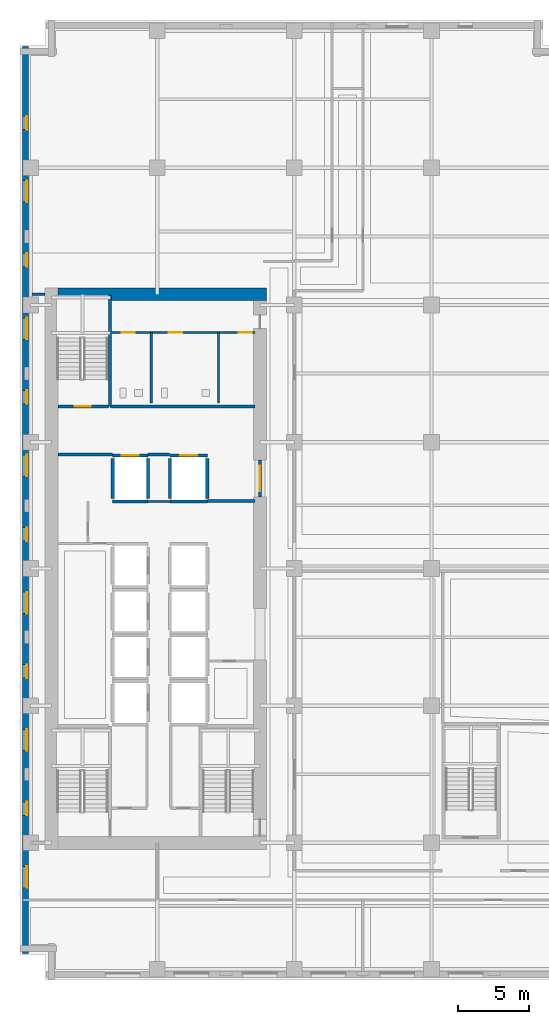
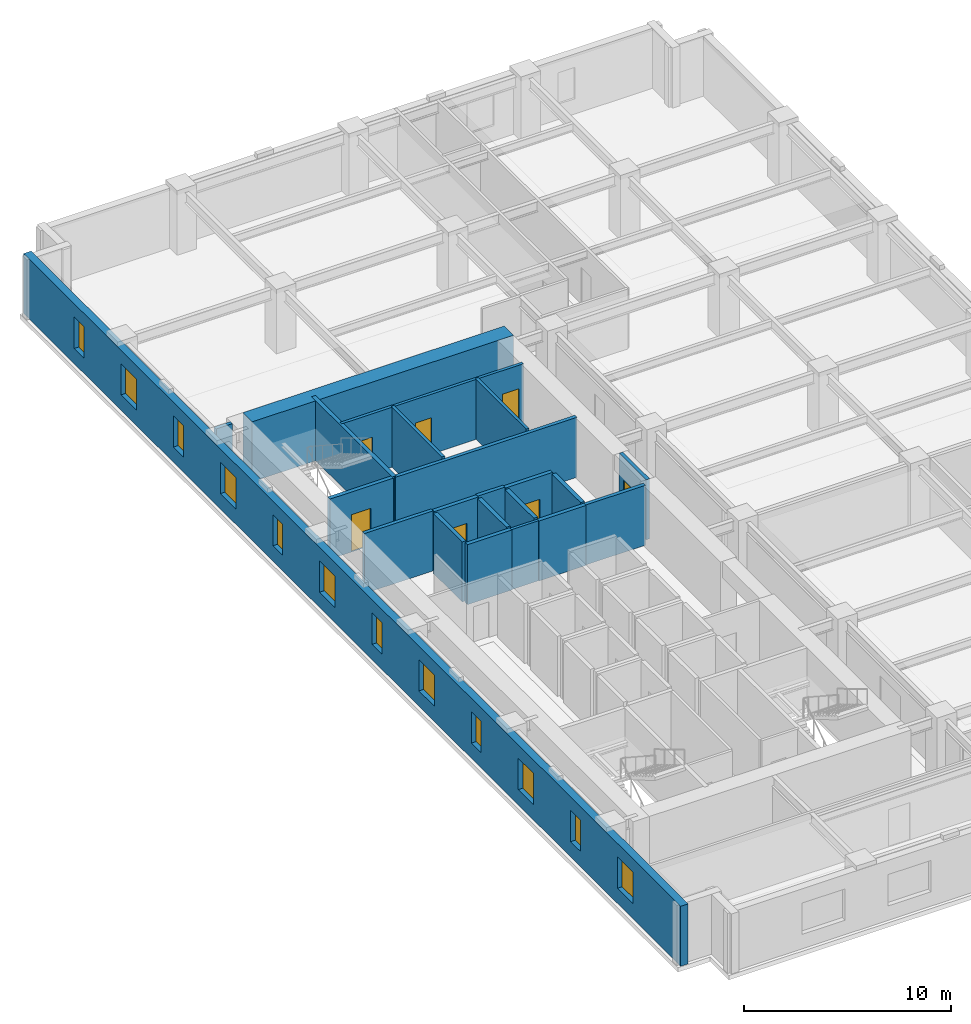
# One storey, part 6 of 13: 22 walls, 12 windows, 7 doors, 19 openings.
"""IFC4 building model written with IfcOpenShell, lengths in metres."""

import ifcopenshell
import ifcopenshell.guid

model = None  # the IFC model being written
_history = None  # IfcOwnerHistory: only IFC2X3 demands one
_inside = {}  # id of a spatial element -> (the spatial element, [elements in it])
_under = {}  # id of a project, library or spatial element -> (it, [spatial elements below it])
_declared = {}  # id of a project -> (the project, [libraries it declares])
_typed = {}  # id of a type object -> (the type object, [elements of that type])
_made_of = {}  # id of a material, layer set ... -> (it, [elements and type objects made of it])


def new_model(schema):
    """Start an empty IFC model of exactly this schema.

    Asked for "IFC4X3", IfcOpenShell would pick the latest addendum, in which some entities
    have other attributes; the version numbers below select the first issue.
    IFC2X3 requires an IfcOwnerHistory on every rooted entity: one is made here for all.
    """
    global model, _history
    if schema == "IFC4X3":
        model = ifcopenshell.file(schema_version=(4, 3, 0, 0))
    else:
        model = ifcopenshell.file(schema=schema)
    _inside.clear()
    _under.clear()
    _declared.clear()
    _typed.clear()
    _made_of.clear()
    _history = None
    if model.schema == "IFC2X3":
        org = make("IfcOrganization", Name="unknown")
        user = make(
            "IfcPersonAndOrganization",
            ThePerson=make("IfcPerson", FamilyName="unknown"),
            TheOrganization=org,
        )
        app = make(
            "IfcApplication",
            ApplicationDeveloper=org,
            Version="unknown",
            ApplicationFullName="unknown",
            ApplicationIdentifier="unknown",
        )
        _history = make(
            "IfcOwnerHistory",
            OwningUser=user,
            OwningApplication=app,
            ChangeAction="ADDED",
            CreationDate=0,
        )
    return model


def make(cls, **values):
    """One entity of the class cls with the attributes given. An attribute that is None is left unset."""
    return model.create_entity(
        cls, **{name: value for name, value in values.items() if value is not None}
    )


def rooted(cls, **values):
    """An entity with a GlobalId (a new one), such as an element, a storey or a relation."""
    return make(cls, GlobalId=ifcopenshell.guid.new(), OwnerHistory=_history, **values)


def si_unit(unit_type, name, prefix=None):
    """IfcSIUnit, for example si_unit("LENGTHUNIT", "METRE", prefix="MILLI")."""
    return make("IfcSIUnit", UnitType=unit_type, Prefix=prefix, Name=name)


def assignment(units):
    """IfcUnitAssignment: the units of a project."""
    return None if units is None else make("IfcUnitAssignment", Units=units)


def point(xyz):
    """IfcCartesianPoint."""
    return None if xyz is None else make("IfcCartesianPoint", Coordinates=xyz)


def direction(xyz):
    """IfcDirection."""
    return None if xyz is None else make("IfcDirection", DirectionRatios=xyz)


def frame(location, z_axis=None, x_axis=None):
    """IfcAxis2Placement3D, a coordinate frame: its origin and axes. An axis left out is left unset."""
    return make(
        "IfcAxis2Placement3D",
        Location=point(location),
        Axis=direction(z_axis),
        RefDirection=direction(x_axis),
    )


def frame_2d(location, x_axis=None):
    """IfcAxis2Placement2D, a coordinate frame in the plane: its origin and x axis."""
    return make(
        "IfcAxis2Placement2D", Location=point(location), RefDirection=direction(x_axis)
    )


def origin():
    """The frame at (0, 0, 0) with its axes left unset."""
    return frame((0.0, 0.0, 0.0))


def place(relative_to, where):
    """IfcLocalPlacement: puts the frame where relative to a parent placement (None: the world)."""
    return make(
        "IfcLocalPlacement", PlacementRelTo=relative_to, RelativePlacement=where
    )


def context(
    kind, dimensions, precision=None, world=None, true_north=None, identifier=None
):
    """IfcGeometricRepresentationContext, for example the 3D "Model" context."""
    return make(
        "IfcGeometricRepresentationContext",
        ContextIdentifier=identifier,
        ContextType=kind,
        CoordinateSpaceDimension=dimensions,
        Precision=precision,
        WorldCoordinateSystem=world,
        TrueNorth=true_north,
    )


def subcontext(parent, identifier, kind, view, scale=None):
    """IfcGeometricRepresentationSubContext, for example "Body" below "Model"."""
    return make(
        "IfcGeometricRepresentationSubContext",
        ContextIdentifier=identifier,
        ContextType=kind,
        ParentContext=parent,
        TargetScale=scale,
        TargetView=view,
    )


def project(units=None, contexts=None):
    """IfcProject with its units and contexts."""
    return rooted(
        "IfcProject",
        Name="project",
        RepresentationContexts=contexts,
        UnitsInContext=assignment(units),
    )


def spatial(cls, under=None, at=None, **own):
    """A site, building, storey or space (cls), placed at a placement, below another one or the project."""
    s = rooted(cls, ObjectPlacement=at, **own)
    if under is not None:
        _under.setdefault(under.id(), (under, []))[1].append(s)
    return s


def profile(cls, at=None, kind="AREA", **sizes):
    """A parametric profile (cls). Its sizes go by their IFC names, for example OverallWidth=200.0."""
    return make(cls, ProfileType=kind, Position=at, **sizes)


def rectangle(**sizes):
    """IfcRectangleProfileDef."""
    return profile("IfcRectangleProfileDef", **sizes)


def extrude(swept, where, along, depth):
    """IfcExtrudedAreaSolid: the profile swept, set in the frame where, extruded along a direction by depth."""
    return make(
        "IfcExtrudedAreaSolid",
        SweptArea=swept,
        Position=where,
        ExtrudedDirection=direction(along),
        Depth=depth,
    )


def shape(context_of_items, identifier, shape_type, items):
    """IfcShapeRepresentation: the items that make up one representation, for example the "Body"."""
    return make(
        "IfcShapeRepresentation",
        ContextOfItems=context_of_items,
        RepresentationIdentifier=identifier,
        RepresentationType=shape_type,
        Items=items,
    )


def material(Name=None, Category=None):
    """IfcMaterial."""
    return make("IfcMaterial", Name=Name, Category=Category)


def layer(
    of_material, thickness, ventilated=None, Name=None, Category=None, Priority=None
):
    """IfcMaterialLayer: one layer of a wall or slab, of a material (None: an air gap)."""
    return make(
        "IfcMaterialLayer",
        Material=of_material,
        LayerThickness=thickness,
        IsVentilated=ventilated,
        Name=Name,
        Category=Category,
        Priority=Priority,
    )


def layer_set(layers, Name=None):
    """IfcMaterialLayerSet."""
    return make("IfcMaterialLayerSet", MaterialLayers=layers, LayerSetName=Name)


def made_of(thing, what):
    """Note that an element or type object is made of a material, layer set ...; save() writes the relation."""
    if what is not None:
        _made_of.setdefault(what.id(), (what, []))[1].append(thing)
    return thing


def type_object(cls, material=None, **own):
    """A type object (cls), such as IfcWallType, which elements share."""
    return made_of(rooted(cls, **own), material)


def element(
    cls,
    number,
    at=None,
    inside=None,
    cuts=None,
    type_object=None,
    material=None,
    context=None,
    identifier="Body",
    shape_type=None,
    held_by="IfcProductDefinitionShape",
    body=None,
    shapes=None,
    **own,
):
    """One element of the class cls, such as IfcWall. Its Tag is "e" and its number.

    at: its placement. inside: the storey or other place that contains it. cuts: it is an
    opening in that element (IfcRelVoidsElement). A single representation is given by context,
    identifier, shape_type and body (its items); several are given by shapes. held_by: the class
    of the entity that holds the representations. save() writes the other relations.
    """
    e = rooted(cls, Tag="e%d" % number, ObjectPlacement=at, **own)
    if body is not None:
        shapes = [shape(context, identifier, shape_type, body)]
    if shapes is not None:
        e.Representation = make(held_by, Representations=shapes)
    if inside is not None:
        _inside.setdefault(inside.id(), (inside, []))[1].append(e)
    if cuts is not None:
        rooted(
            "IfcRelVoidsElement", RelatingBuildingElement=cuts, RelatedOpeningElement=e
        )
    if type_object is not None:
        _typed.setdefault(type_object.id(), (type_object, []))[1].append(e)
    return made_of(e, material)


def fill(opening, filler):
    """IfcRelFillsElement: the door or window that sits in an opening."""
    return rooted(
        "IfcRelFillsElement",
        RelatingOpeningElement=opening,
        RelatedBuildingElement=filler,
    )


def aggregate(whole, parts):
    """IfcRelAggregates: a whole, such as a stair, and the parts it consists of."""
    return rooted("IfcRelAggregates", RelatingObject=whole, RelatedObjects=parts)


def save(model, path):
    """Write the relations noted so far, then the file.

    IfcRelAggregates (storeys below a building ...), IfcRelContainedInSpatialStructure (elements
    in a storey), IfcRelDefinesByType, IfcRelAssociatesMaterial and IfcRelDeclares: one each for
    every whole, place, type object, material and project.
    """
    for whole, parts in _under.values():
        aggregate(whole, parts)
    for where, things in _inside.values():
        rooted(
            "IfcRelContainedInSpatialStructure",
            RelatedElements=things,
            RelatingStructure=where,
        )
    for kind, things in _typed.values():
        rooted("IfcRelDefinesByType", RelatedObjects=things, RelatingType=kind)
    for what, things in _made_of.values():
        rooted("IfcRelAssociatesMaterial", RelatedObjects=things, RelatingMaterial=what)
    for by, libraries in _declared.values():
        rooted("IfcRelDeclares", RelatingContext=by, RelatedDefinitions=libraries)
    model.write(path)


model = new_model("IFC4")

# Units and contexts
model_context = context("Model", 3, precision=1e-05, world=origin(), true_north=direction((0.0, 1.0)))
body_context = subcontext(model_context, "Body", "Model", "MODEL_VIEW")
ifc_project = project(units=[si_unit("LENGTHUNIT", "METRE"), si_unit("AREAUNIT", "SQUARE_METRE"), si_unit("VOLUMEUNIT", "CUBIC_METRE"), si_unit("PLANEANGLEUNIT", "RADIAN"), si_unit("MASSUNIT", "GRAM", prefix="KILO")], contexts=[model_context])

# Site, building, storey
site_placement = place(None, origin())
site = spatial("IfcSite", under=ifc_project, at=site_placement, CompositionType="ELEMENT")
building_placement = place(site_placement, origin())
building = spatial("IfcBuilding", under=site, at=building_placement, Name="Norrvale University Quadrangle", CompositionType="ELEMENT")
storey_placement = place(building_placement, frame((0.0, 0.0, 69.800048828125)))
storey = spatial("IfcBuildingStorey", under=building, at=storey_placement, Name="L17", CompositionType="ELEMENT", Elevation=69.800048828125)

# Wall, openings, windows
ifc_material_1 = material(Name="Buff Norman Clay Brick Masonry", Category="masonry")
ifc_layer_1 = layer(ifc_material_1, 0.419921875, Name="Buff Norman Clay Brick Masonry")
ifc_layer_set_1 = layer_set([ifc_layer_1], Name="Buff Norman Clay Brick Masonry")
wall_type_1 = type_object("IfcWallType", Name="Wall Buff Brick 420", PredefinedType="SOLIDWALL", material=ifc_layer_set_1)
wall_1_placement = place(storey_placement, frame((0.389892578125, 65.360107421875, 0.0), z_axis=(0.0, 0.0, 1.0), x_axis=(0.0, -1.0, 0.0)))
wall_1 = element("IfcWall", 1, at=wall_1_placement, inside=storey, type_object=wall_type_1, Name="Exterior Brick Facade Wall L17-14.1", PredefinedType="SOLIDWALL", context=body_context, shape_type="SweptSolid", body=[
    extrude(rectangle(XDim=63.52001953125, YDim=0.419921875, at=frame_2d((31.760009765625, 0.0))), origin(), (0.0, 0.0, 1.0), 3.5400390625),
])
opening_1_placement = place(wall_1_placement, frame((4.885009765625, 0.0, 0.89990234375)))
opening_1 = element("IfcOpeningElement", 2, at=opening_1_placement, cuts=wall_1, Name="Opening W04", PredefinedType="OPENING", context=body_context, shape_type="SweptSolid", body=[
    extrude(rectangle(XDim=0.949951171875, YDim=1.85009765625, at=frame_2d((0.47509765625, 0.925048828125))), frame((0.0, 0.221923828125, 0.0), z_axis=(0.0, -1.0, 0.0), x_axis=(1.0, 0.0, 0.0)), (0.0, 0.0, 1.0), 0.44384765625),
])
opening_2_placement = place(wall_1_placement, frame((9.409912109375, 0.0, 0.89990234375)))
opening_2 = element("IfcOpeningElement", 3, at=opening_2_placement, cuts=wall_1, Name="Opening W03", PredefinedType="OPENING", context=body_context, shape_type="SweptSolid", body=[
    extrude(rectangle(XDim=1.5, YDim=1.85009765625, at=frame_2d((0.75, 0.925048828125))), frame((0.0, 0.221923828125, 0.0), z_axis=(0.0, -1.0, 0.0), x_axis=(1.0, 0.0, 0.0)), (0.0, 0.0, 1.0), 0.44384765625),
])
opening_3_placement = place(wall_1_placement, frame((14.485107421875, 0.0, 0.89990234375)))
opening_3 = element("IfcOpeningElement", 4, at=opening_3_placement, cuts=wall_1, Name="Opening W04", PredefinedType="OPENING", context=body_context, shape_type="SweptSolid", body=[
    extrude(rectangle(XDim=0.949951171875, YDim=1.85009765625, at=frame_2d((0.47509765625, 0.925048828125))), frame((0.0, 0.221923828125, 0.0), z_axis=(0.0, -1.0, 0.0), x_axis=(1.0, 0.0, 0.0)), (0.0, 0.0, 1.0), 0.44384765625),
])
opening_4_placement = place(wall_1_placement, frame((19.010009765625, 0.0, 0.89990234375)))
opening_4 = element("IfcOpeningElement", 5, at=opening_4_placement, cuts=wall_1, Name="Opening W03", PredefinedType="OPENING", context=body_context, shape_type="SweptSolid", body=[
    extrude(rectangle(XDim=1.5, YDim=1.85009765625, at=frame_2d((0.75, 0.925048828125))), frame((0.0, 0.221923828125, 0.0), z_axis=(0.0, -1.0, 0.0), x_axis=(1.0, 0.0, 0.0)), (0.0, 0.0, 1.0), 0.44384765625),
])
opening_5_placement = place(wall_1_placement, frame((24.0849609375, 0.0, 0.89990234375)))
opening_5 = element("IfcOpeningElement", 6, at=opening_5_placement, cuts=wall_1, Name="Opening W04", PredefinedType="OPENING", context=body_context, shape_type="SweptSolid", body=[
    extrude(rectangle(XDim=0.949951171875, YDim=1.85009765625, at=frame_2d((0.47509765625, 0.925048828125))), frame((0.0, 0.221923828125, 0.0), z_axis=(0.0, -1.0, 0.0), x_axis=(1.0, 0.0, 0.0)), (0.0, 0.0, 1.0), 0.44384765625),
])
opening_6_placement = place(wall_1_placement, frame((28.610107421875, 0.0, 0.89990234375)))
opening_6 = element("IfcOpeningElement", 7, at=opening_6_placement, cuts=wall_1, Name="Opening W03", PredefinedType="OPENING", context=body_context, shape_type="SweptSolid", body=[
    extrude(rectangle(XDim=1.5, YDim=1.85009765625, at=frame_2d((0.75, 0.925048828125))), frame((0.0, 0.221923828125, 0.0), z_axis=(0.0, -1.0, 0.0), x_axis=(1.0, 0.0, 0.0)), (0.0, 0.0, 1.0), 0.44384765625),
])
opening_7_placement = place(wall_1_placement, frame((33.68505859375, 0.0, 0.89990234375)))
opening_7 = element("IfcOpeningElement", 8, at=opening_7_placement, cuts=wall_1, Name="Opening W04", PredefinedType="OPENING", context=body_context, shape_type="SweptSolid", body=[
    extrude(rectangle(XDim=0.949951171875, YDim=1.85009765625, at=frame_2d((0.47509765625, 0.925048828125))), frame((0.0, 0.221923828125, 0.0), z_axis=(0.0, -1.0, 0.0), x_axis=(1.0, 0.0, 0.0)), (0.0, 0.0, 1.0), 0.44384765625),
])
opening_8_placement = place(wall_1_placement, frame((38.2099609375, 0.0, 0.89990234375)))
opening_8 = element("IfcOpeningElement", 9, at=opening_8_placement, cuts=wall_1, Name="Opening W03", PredefinedType="OPENING", context=body_context, shape_type="SweptSolid", body=[
    extrude(rectangle(XDim=1.5, YDim=1.85009765625, at=frame_2d((0.75, 0.925048828125))), frame((0.0, 0.221923828125, 0.0), z_axis=(0.0, -1.0, 0.0), x_axis=(1.0, 0.0, 0.0)), (0.0, 0.0, 1.0), 0.44384765625),
])
opening_9_placement = place(wall_1_placement, frame((43.284912109375, 0.0, 0.89990234375)))
opening_9 = element("IfcOpeningElement", 10, at=opening_9_placement, cuts=wall_1, Name="Opening W04", PredefinedType="OPENING", context=body_context, shape_type="SweptSolid", body=[
    extrude(rectangle(XDim=0.949951171875, YDim=1.85009765625, at=frame_2d((0.47509765625, 0.925048828125))), frame((0.0, 0.221923828125, 0.0), z_axis=(0.0, -1.0, 0.0), x_axis=(1.0, 0.0, 0.0)), (0.0, 0.0, 1.0), 0.44384765625),
])
opening_10_placement = place(wall_1_placement, frame((47.81005859375, 0.0, 0.89990234375)))
opening_10 = element("IfcOpeningElement", 11, at=opening_10_placement, cuts=wall_1, Name="Opening W03", PredefinedType="OPENING", context=body_context, shape_type="SweptSolid", body=[
    extrude(rectangle(XDim=1.5, YDim=1.85009765625, at=frame_2d((0.75, 0.925048828125))), frame((0.0, 0.221923828125, 0.0), z_axis=(0.0, -1.0, 0.0), x_axis=(1.0, 0.0, 0.0)), (0.0, 0.0, 1.0), 0.44384765625),
])
opening_11_placement = place(wall_1_placement, frame((52.885009765625, 0.0, 0.89990234375)))
opening_11 = element("IfcOpeningElement", 12, at=opening_11_placement, cuts=wall_1, Name="Opening W04", PredefinedType="OPENING", context=body_context, shape_type="SweptSolid", body=[
    extrude(rectangle(XDim=0.949951171875, YDim=1.85009765625, at=frame_2d((0.47509765625, 0.925048828125))), frame((0.0, 0.221923828125, 0.0), z_axis=(0.0, -1.0, 0.0), x_axis=(1.0, 0.0, 0.0)), (0.0, 0.0, 1.0), 0.44384765625),
])
opening_12_placement = place(wall_1_placement, frame((57.409912109375, 0.0, 0.89990234375)))
opening_12 = element("IfcOpeningElement", 13, at=opening_12_placement, cuts=wall_1, Name="Opening W03", PredefinedType="OPENING", context=body_context, shape_type="SweptSolid", body=[
    extrude(rectangle(XDim=1.5, YDim=1.85009765625, at=frame_2d((0.75, 0.925048828125))), frame((0.0, 0.221923828125, 0.0), z_axis=(0.0, -1.0, 0.0), x_axis=(1.0, 0.0, 0.0)), (0.0, 0.0, 1.0), 0.44384765625),
])
ifc_material_2 = material(Name="Triple Low-E Argon Glazing", Category="glass")
window_type_1 = type_object("IfcWindowType", Name="Window Narrow Pier 950x2300", PartitioningType="SINGLE_PANEL", PredefinedType="WINDOW", material=ifc_material_2)
window_1_placement = place(opening_1_placement, origin())
window_1 = element("IfcWindow", 14, at=window_1_placement, inside=storey, type_object=window_type_1, Name="Window Narrow Pier 950x2300 WIN-L17-E14-1-01", OverallHeight=1.85009765625, OverallWidth=0.949951171875, PartitioningType="SINGLE_PANEL", PredefinedType="WINDOW", context=body_context, shape_type="SweptSolid", body=[
    extrude(rectangle(XDim=0.949951171875, YDim=1.85009765625, at=frame_2d((0.47509765625, 0.925048828125))), frame((0.0, 0.110107421875, 0.0), z_axis=(0.0, -1.0, 0.0), x_axis=(1.0, 0.0, 0.0)), (0.0, 0.0, 1.0), 0.06005859375),
])
fill(opening_1, window_1)
window_2_placement = place(opening_3_placement, origin())
window_2 = element("IfcWindow", 15, at=window_2_placement, inside=storey, type_object=window_type_1, Name="Window Narrow Pier 950x2300 WIN-L17-E14-1-03", OverallHeight=1.85009765625, OverallWidth=0.949951171875, PartitioningType="SINGLE_PANEL", PredefinedType="WINDOW", context=body_context, shape_type="SweptSolid", body=[
    extrude(rectangle(XDim=0.949951171875, YDim=1.85009765625, at=frame_2d((0.47509765625, 0.925048828125))), frame((0.0, 0.110107421875, 0.0), z_axis=(0.0, -1.0, 0.0), x_axis=(1.0, 0.0, 0.0)), (0.0, 0.0, 1.0), 0.06005859375),
])
fill(opening_3, window_2)
window_3_placement = place(opening_5_placement, origin())
window_3 = element("IfcWindow", 16, at=window_3_placement, inside=storey, type_object=window_type_1, Name="Window Narrow Pier 950x2300 WIN-L17-E14-1-05", OverallHeight=1.85009765625, OverallWidth=0.949951171875, PartitioningType="SINGLE_PANEL", PredefinedType="WINDOW", context=body_context, shape_type="SweptSolid", body=[
    extrude(rectangle(XDim=0.949951171875, YDim=1.85009765625, at=frame_2d((0.47509765625, 0.925048828125))), frame((0.0, 0.110107421875, 0.0), z_axis=(0.0, -1.0, 0.0), x_axis=(1.0, 0.0, 0.0)), (0.0, 0.0, 1.0), 0.06005859375),
])
fill(opening_5, window_3)
window_4_placement = place(opening_7_placement, origin())
window_4 = element("IfcWindow", 17, at=window_4_placement, inside=storey, type_object=window_type_1, Name="Window Narrow Pier 950x2300 WIN-L17-E14-1-07", OverallHeight=1.85009765625, OverallWidth=0.949951171875, PartitioningType="SINGLE_PANEL", PredefinedType="WINDOW", context=body_context, shape_type="SweptSolid", body=[
    extrude(rectangle(XDim=0.949951171875, YDim=1.85009765625, at=frame_2d((0.47509765625, 0.925048828125))), frame((0.0, 0.110107421875, 0.0), z_axis=(0.0, -1.0, 0.0), x_axis=(1.0, 0.0, 0.0)), (0.0, 0.0, 1.0), 0.06005859375),
])
fill(opening_7, window_4)
window_5_placement = place(opening_9_placement, origin())
window_5 = element("IfcWindow", 18, at=window_5_placement, inside=storey, type_object=window_type_1, Name="Window Narrow Pier 950x2300 WIN-L17-E14-1-09", OverallHeight=1.85009765625, OverallWidth=0.949951171875, PartitioningType="SINGLE_PANEL", PredefinedType="WINDOW", context=body_context, shape_type="SweptSolid", body=[
    extrude(rectangle(XDim=0.949951171875, YDim=1.85009765625, at=frame_2d((0.47509765625, 0.925048828125))), frame((0.0, 0.110107421875, 0.0), z_axis=(0.0, -1.0, 0.0), x_axis=(1.0, 0.0, 0.0)), (0.0, 0.0, 1.0), 0.06005859375),
])
fill(opening_9, window_5)
window_6_placement = place(opening_11_placement, origin())
window_6 = element("IfcWindow", 19, at=window_6_placement, inside=storey, type_object=window_type_1, Name="Window Narrow Pier 950x2300 WIN-L17-E14-1-11", OverallHeight=1.85009765625, OverallWidth=0.949951171875, PartitioningType="SINGLE_PANEL", PredefinedType="WINDOW", context=body_context, shape_type="SweptSolid", body=[
    extrude(rectangle(XDim=0.949951171875, YDim=1.85009765625, at=frame_2d((0.47509765625, 0.925048828125))), frame((0.0, 0.110107421875, 0.0), z_axis=(0.0, -1.0, 0.0), x_axis=(1.0, 0.0, 0.0)), (0.0, 0.0, 1.0), 0.06005859375),
])
fill(opening_11, window_6)
window_type_2 = type_object("IfcWindowType", Name="Window Studio 1500x2300", PartitioningType="DOUBLE_PANEL_VERTICAL", PredefinedType="WINDOW", material=ifc_material_2)
window_7_placement = place(opening_2_placement, origin())
window_7 = element("IfcWindow", 20, at=window_7_placement, inside=storey, type_object=window_type_2, Name="Window Studio 1500x2300 WIN-L17-E14-1-02", OverallHeight=1.85009765625, OverallWidth=1.5, PartitioningType="DOUBLE_PANEL_VERTICAL", PredefinedType="WINDOW", context=body_context, shape_type="SweptSolid", body=[
    extrude(rectangle(XDim=1.5, YDim=1.85009765625, at=frame_2d((0.75, 0.925048828125))), frame((0.0, 0.110107421875, 0.0), z_axis=(0.0, -1.0, 0.0), x_axis=(1.0, 0.0, 0.0)), (0.0, 0.0, 1.0), 0.06005859375),
])
fill(opening_2, window_7)
window_8_placement = place(opening_4_placement, origin())
window_8 = element("IfcWindow", 21, at=window_8_placement, inside=storey, type_object=window_type_2, Name="Window Studio 1500x2300 WIN-L17-E14-1-04", OverallHeight=1.85009765625, OverallWidth=1.5, PartitioningType="DOUBLE_PANEL_VERTICAL", PredefinedType="WINDOW", context=body_context, shape_type="SweptSolid", body=[
    extrude(rectangle(XDim=1.5, YDim=1.85009765625, at=frame_2d((0.75, 0.925048828125))), frame((0.0, 0.110107421875, 0.0), z_axis=(0.0, -1.0, 0.0), x_axis=(1.0, 0.0, 0.0)), (0.0, 0.0, 1.0), 0.06005859375),
])
fill(opening_4, window_8)
window_9_placement = place(opening_6_placement, origin())
window_9 = element("IfcWindow", 22, at=window_9_placement, inside=storey, type_object=window_type_2, Name="Window Studio 1500x2300 WIN-L17-E14-1-06", OverallHeight=1.85009765625, OverallWidth=1.5, PartitioningType="DOUBLE_PANEL_VERTICAL", PredefinedType="WINDOW", context=body_context, shape_type="SweptSolid", body=[
    extrude(rectangle(XDim=1.5, YDim=1.85009765625, at=frame_2d((0.75, 0.925048828125))), frame((0.0, 0.110107421875, 0.0), z_axis=(0.0, -1.0, 0.0), x_axis=(1.0, 0.0, 0.0)), (0.0, 0.0, 1.0), 0.06005859375),
])
fill(opening_6, window_9)
window_10_placement = place(opening_8_placement, origin())
window_10 = element("IfcWindow", 23, at=window_10_placement, inside=storey, type_object=window_type_2, Name="Window Studio 1500x2300 WIN-L17-E14-1-08", OverallHeight=1.85009765625, OverallWidth=1.5, PartitioningType="DOUBLE_PANEL_VERTICAL", PredefinedType="WINDOW", context=body_context, shape_type="SweptSolid", body=[
    extrude(rectangle(XDim=1.5, YDim=1.85009765625, at=frame_2d((0.75, 0.925048828125))), frame((0.0, 0.110107421875, 0.0), z_axis=(0.0, -1.0, 0.0), x_axis=(1.0, 0.0, 0.0)), (0.0, 0.0, 1.0), 0.06005859375),
])
fill(opening_8, window_10)
window_11_placement = place(opening_10_placement, origin())
window_11 = element("IfcWindow", 24, at=window_11_placement, inside=storey, type_object=window_type_2, Name="Window Studio 1500x2300 WIN-L17-E14-1-10", OverallHeight=1.85009765625, OverallWidth=1.5, PartitioningType="DOUBLE_PANEL_VERTICAL", PredefinedType="WINDOW", context=body_context, shape_type="SweptSolid", body=[
    extrude(rectangle(XDim=1.5, YDim=1.85009765625, at=frame_2d((0.75, 0.925048828125))), frame((0.0, 0.110107421875, 0.0), z_axis=(0.0, -1.0, 0.0), x_axis=(1.0, 0.0, 0.0)), (0.0, 0.0, 1.0), 0.06005859375),
])
fill(opening_10, window_11)
window_12_placement = place(opening_12_placement, origin())
window_12 = element("IfcWindow", 25, at=window_12_placement, inside=storey, type_object=window_type_2, Name="Window Studio 1500x2300 WIN-L17-E14-1-12", OverallHeight=1.85009765625, OverallWidth=1.5, PartitioningType="DOUBLE_PANEL_VERTICAL", PredefinedType="WINDOW", context=body_context, shape_type="SweptSolid", body=[
    extrude(rectangle(XDim=1.5, YDim=1.85009765625, at=frame_2d((0.75, 0.925048828125))), frame((0.0, 0.110107421875, 0.0), z_axis=(0.0, -1.0, 0.0), x_axis=(1.0, 0.0, 0.0)), (0.0, 0.0, 1.0), 0.06005859375),
])
fill(opening_12, window_12)

# Walls
ifc_material_3 = material(Name="Concrete C80/95", Category="concrete")
ifc_layer_2 = layer(ifc_material_3, 0.89990234375, Name="Concrete C80/95")
ifc_layer_set_2 = layer_set([ifc_layer_2], Name="Concrete C80/95")
wall_type_2 = type_object("IfcWallType", Name="Wall Core 900", PredefinedType="SHEAR", material=ifc_layer_set_2)
wall_2_placement = place(storey_placement, frame((2.64990234375, 48.0, 0.0), z_axis=(0.0, 0.0, 1.0), x_axis=(1.0, 0.0, 0.0)))
element("IfcWall", 26, at=wall_2_placement, inside=storey, type_object=wall_type_2, Name="Tower Core Shear Wall L17-N", PredefinedType="SHEAR", context=body_context, shape_type="SweptSolid", body=[
    extrude(rectangle(XDim=14.60009765625, YDim=0.89990234375, at=frame_2d((7.300048828125, 0.0))), origin(), (0.0, 0.0, 1.0), 3.5400390625),
])
ifc_material_4 = material(Name="Fire-Rated Gypsum Stud Partition")
ifc_layer_3 = layer(ifc_material_4, 0.14990234375, Name="Fire-Rated Gypsum Stud Partition")
ifc_layer_set_3 = layer_set([ifc_layer_3], Name="Fire-Rated Gypsum Stud Partition")
wall_type_3 = type_object("IfcWallType", Name="Wall Gypsum Corridor 150", PredefinedType="PARTITIONING", material=ifc_layer_set_3)
wall_3_placement = place(storey_placement, frame((8.965087890625, 33.489990234375, 0.0), z_axis=(0.0, 0.0, 1.0), x_axis=(1.0, 0.0, 0.0)))
element("IfcWall", 27, at=wall_3_placement, inside=storey, type_object=wall_type_3, Name="Interior Partition WL-L17-LL3", PredefinedType="PARTITIONING", context=body_context, shape_type="SweptSolid", body=[
    extrude(rectangle(XDim=1.52001953125, YDim=0.14990234375, at=frame_2d((0.760009765625, 0.0))), origin(), (0.0, 0.0, 1.0), 3.5400390625),
])

# Wall, openings, doors
ifc_material_5 = material(Name="Sanitary Chase Gypsum Partition")
ifc_layer_4 = layer(ifc_material_5, 0.1650390625, Name="Sanitary Chase Gypsum Partition")
ifc_layer_set_4 = layer_set([ifc_layer_4], Name="Sanitary Chase Gypsum Partition")
wall_type_4 = type_object("IfcWallType", Name="Wall Gypsum Sanitary 165", PredefinedType="PLUMBINGWALL", material=ifc_layer_set_4)
wall_4_placement = place(storey_placement, frame((6.320068359375, 45.320068359375, 0.0), z_axis=(0.0, 0.0, 1.0), x_axis=(1.0, 0.0, 0.0)))
wall_4 = element("IfcWall", 28, at=wall_4_placement, inside=storey, type_object=wall_type_4, Name="Interior Partition WL-L17-WCN", PredefinedType="PLUMBINGWALL", context=body_context, shape_type="SweptSolid", body=[
    extrude(rectangle(XDim=10.1298828125, YDim=0.1650390625, at=frame_2d((5.06494140625, 0.0))), origin(), (0.0, 0.0, 1.0), 3.5400390625),
])
opening_13_placement = place(wall_4_placement, frame((0.800048828125, 0.0, 0.0)))
opening_13 = element("IfcOpeningElement", 29, at=opening_13_placement, cuts=wall_4, Name="Opening D08", PredefinedType="OPENING", context=body_context, shape_type="SweptSolid", body=[
    extrude(rectangle(XDim=0.919921875, YDim=2.14990234375, at=frame_2d((0.4599609375, 1.074951171875))), frame((0.0, 0.094482421875, 0.0), z_axis=(0.0, -1.0, 0.0), x_axis=(1.0, 0.0, 0.0)), (0.0, 0.0, 1.0), 0.18896484375),
])
opening_14_placement = place(wall_4_placement, frame((4.10009765625, 0.0, 0.0)))
opening_14 = element("IfcOpeningElement", 30, at=opening_14_placement, cuts=wall_4, Name="Opening D08", PredefinedType="OPENING", context=body_context, shape_type="SweptSolid", body=[
    extrude(rectangle(XDim=0.919921875, YDim=2.14990234375, at=frame_2d((0.4599609375, 1.074951171875))), frame((0.0, 0.094482421875, 0.0), z_axis=(0.0, -1.0, 0.0), x_axis=(1.0, 0.0, 0.0)), (0.0, 0.0, 1.0), 0.18896484375),
])
opening_15_placement = place(wall_4_placement, frame((8.97998046875, 0.0, 0.0)))
opening_15 = element("IfcOpeningElement", 31, at=opening_15_placement, cuts=wall_4, Name="Opening D08", PredefinedType="OPENING", context=body_context, shape_type="SweptSolid", body=[
    extrude(rectangle(XDim=0.919921875, YDim=2.14990234375, at=frame_2d((0.4599609375, 1.074951171875))), frame((0.0, 0.094482421875, 0.0), z_axis=(0.0, -1.0, 0.0), x_axis=(1.0, 0.0, 0.0)), (0.0, 0.0, 1.0), 0.18896484375),
])
ifc_material_6 = material(Name="Laminate Washroom Door", Category="wood")
door_type_1 = type_object("IfcDoorType", Name="Door Washroom 920x2150", OperationType="NOTDEFINED", PredefinedType="DOOR", material=ifc_material_6)
door_1_placement = place(opening_13_placement, origin())
door_1 = element("IfcDoor", 32, at=door_1_placement, inside=storey, type_object=door_type_1, Name="Door Washroom 920x2150 DR-L17-WC1", OperationType="SINGLE_SWING_LEFT", OverallHeight=2.14990234375, OverallWidth=0.919921875, PredefinedType="DOOR", context=body_context, shape_type="SweptSolid", body=[
    extrude(rectangle(XDim=0.919921875, YDim=2.14990234375, at=frame_2d((0.4599609375, 1.074951171875))), frame((0.0, 0.02490234375, 0.0), z_axis=(0.0, -1.0, 0.0), x_axis=(1.0, 0.0, 0.0)), (0.0, 0.0, 1.0), 0.050048828125),
])
fill(opening_13, door_1)
door_2_placement = place(opening_14_placement, origin())
door_2 = element("IfcDoor", 33, at=door_2_placement, inside=storey, type_object=door_type_1, Name="Door Washroom 920x2150 DR-L17-WC2", OperationType="SINGLE_SWING_RIGHT", OverallHeight=2.14990234375, OverallWidth=0.919921875, PredefinedType="DOOR", context=body_context, shape_type="SweptSolid", body=[
    extrude(rectangle(XDim=0.919921875, YDim=2.14990234375, at=frame_2d((0.4599609375, 1.074951171875))), frame((0.0, 0.02490234375, 0.0), z_axis=(0.0, -1.0, 0.0), x_axis=(1.0, 0.0, 0.0)), (0.0, 0.0, 1.0), 0.050048828125),
])
fill(opening_14, door_2)
door_3_placement = place(opening_15_placement, origin())
door_3 = element("IfcDoor", 34, at=door_3_placement, inside=storey, type_object=door_type_1, Name="Door Washroom 920x2150 DR-L17-WC3", OperationType="SINGLE_SWING_LEFT", OverallHeight=2.14990234375, OverallWidth=0.919921875, PredefinedType="DOOR", context=body_context, shape_type="SweptSolid", body=[
    extrude(rectangle(XDim=0.919921875, YDim=2.14990234375, at=frame_2d((0.4599609375, 1.074951171875))), frame((0.0, 0.02490234375, 0.0), z_axis=(0.0, -1.0, 0.0), x_axis=(1.0, 0.0, 0.0)), (0.0, 0.0, 1.0), 0.050048828125),
])
fill(opening_15, door_3)

# Walls
for number, where, z_axis, x_axis, name in (
    (35, (9.199951171875, 40.39990234375, 0.0), (0.0, 0.0, 1.0), (0.0, 1.0, 0.0), "Interior Partition WL-L17-WCM1"),
    (36, (13.89990234375, 40.39990234375, 0.0), (0.0, 0.0, 1.0), (0.0, 1.0, 0.0), "Interior Partition WL-L17-WCM2"),
):
    element("IfcWall", number, at=place(storey_placement, frame(where, z_axis=z_axis, x_axis=x_axis)), inside=storey, type_object=wall_type_4, Name=name, PredefinedType="PLUMBINGWALL", context=body_context, shape_type="SweptSolid", body=[
        extrude(rectangle(XDim=4.920166015625, YDim=0.1650390625, at=frame_2d((2.4599609375, 0.0))), origin(), (0.0, 0.0, 1.0), 3.5400390625),
    ])
ifc_material_7 = material(Name="Concrete Blockwork 20 MPa Rated Wall", Category="masonry")
ifc_layer_5 = layer(ifc_material_7, 0.199951171875, Name="Concrete Blockwork 20 MPa Rated Wall")
ifc_layer_set_5 = layer_set([ifc_layer_5], Name="Concrete Blockwork 20 MPa Rated Wall")
wall_type_5 = type_object("IfcWallType", Name="Wall Lobby 200", PredefinedType="SOLIDWALL", material=ifc_layer_set_5)
wall_5_placement = place(storey_placement, frame((2.64990234375, 36.780029296875, 0.0), z_axis=(0.0, 0.0, 1.0), x_axis=(1.0, 0.0, 0.0)))
element("IfcWall", 37, at=wall_5_placement, inside=storey, type_object=wall_type_5, Name="Interior Partition WL-L17-FF1", PredefinedType="SOLIDWALL", context=body_context, shape_type="SweptSolid", body=[
    extrude(rectangle(XDim=3.830078125, YDim=0.199951171875, at=frame_2d((1.9150390625, 0.0))), origin(), (0.0, 0.0, 1.0), 3.5400390625),
])
wall_6_placement = place(storey_placement, frame((8.969970703125, 36.780029296875, 0.0), z_axis=(0.0, 0.0, 1.0), x_axis=(1.0, 0.0, 0.0)))
element("IfcWall", 38, at=wall_6_placement, inside=storey, type_object=wall_type_5, Name="Interior Partition WL-L17-FF2", PredefinedType="SOLIDWALL", context=body_context, shape_type="SweptSolid", body=[
    extrude(rectangle(XDim=1.510009765625, YDim=0.199951171875, at=frame_2d((0.7548828125, 0.0))), origin(), (0.0, 0.0, 1.0), 3.5400390625),
])
wall_7_placement = place(storey_placement, frame((13.1201171875, 33.52001953125, 0.0), z_axis=(0.0, 0.0, 1.0), x_axis=(1.0, 0.0, 0.0)))
element("IfcWall", 39, at=wall_7_placement, inside=storey, type_object=wall_type_5, Name="Interior Partition WL-L17-FF3", PredefinedType="SOLIDWALL", context=body_context, shape_type="SweptSolid", body=[
    extrude(rectangle(XDim=3.329833984375, YDim=0.199951171875, at=frame_2d((1.6650390625, 0.0))), origin(), (0.0, 0.0, 1.0), 3.5400390625),
])
wall_8_placement = place(storey_placement, frame((6.320068359375, 40.139892578125, 0.0), z_axis=(0.0, 0.0, 1.0), x_axis=(1.0, 0.0, 0.0)))
element("IfcWall", 40, at=wall_8_placement, inside=storey, type_object=wall_type_5, Name="Interior Partition WL-L17-FF4", PredefinedType="SOLIDWALL", context=body_context, shape_type="SweptSolid", body=[
    extrude(rectangle(XDim=10.1298828125, YDim=0.199951171875, at=frame_2d((5.06494140625, 0.0))), origin(), (0.0, 0.0, 1.0), 3.5400390625),
])

# Wall, opening, door
wall_9_placement = place(storey_placement, frame((16.800048828125, 33.800048828125, 0.0), z_axis=(0.0, 0.0, 1.0), x_axis=(0.0, 1.0, 0.0)))
wall_9 = element("IfcWall", 41, at=wall_9_placement, inside=storey, type_object=wall_type_5, Name="Interior Partition WL-L17-FFP", PredefinedType="SOLIDWALL", context=body_context, shape_type="SweptSolid", body=[
    extrude(rectangle(XDim=2.599853515625, YDim=0.199951171875, at=frame_2d((1.2998046875, 0.0))), origin(), (0.0, 0.0, 1.0), 3.5400390625),
])
opening_16_placement = place(wall_9_placement, frame((0.39990234375, 0.0, 0.0)))
opening_16 = element("IfcOpeningElement", 42, at=opening_16_placement, cuts=wall_9, Name="Opening D03", PredefinedType="OPENING", context=body_context, shape_type="SweptSolid", body=[
    extrude(rectangle(XDim=1.800048828125, YDim=2.199951171875, at=frame_2d((0.89990234375, 1.10009765625))), frame((0.0, 0.112060546875, 0.0), z_axis=(0.0, -1.0, 0.0), x_axis=(1.0, 0.0, 0.0)), (0.0, 0.0, 1.0), 0.223876953125),
])
ifc_material_8 = material(Name="Hollow Steel 350W Fire Door", Category="steel")
door_type_2 = type_object("IfcDoorType", Name="Door Fire Lobby 1800x2200", OperationType="DOUBLE_DOOR_SINGLE_SWING", PredefinedType="DOOR", material=ifc_material_8)
door_4_placement = place(opening_16_placement, origin())
door_4 = element("IfcDoor", 43, at=door_4_placement, inside=storey, type_object=door_type_2, Name="Door Fire Lobby 1800x2200 DR-L17-FFP", OperationType="DOUBLE_DOOR_SINGLE_SWING", OverallHeight=2.199951171875, OverallWidth=1.800048828125, PredefinedType="DOOR", context=body_context, shape_type="SweptSolid", body=[
    extrude(rectangle(XDim=1.800048828125, YDim=2.199951171875, at=frame_2d((0.89990234375, 1.10009765625))), frame((0.0, 0.02490234375, 0.0), z_axis=(0.0, -1.0, 0.0), x_axis=(1.0, 0.0, 0.0)), (0.0, 0.0, 1.0), 0.050048828125),
])
fill(opening_16, door_4)

# Wall
wall_10_placement = place(storey_placement, frame((0.85009765625, 48.0, 0.0), z_axis=(0.0, 0.0, 1.0), x_axis=(1.0, 0.0, 0.0)))
element("IfcWall", 44, at=wall_10_placement, inside=storey, type_object=wall_type_5, Name="Interior Partition WL-L17-CWRET-N", PredefinedType="SOLIDWALL", context=body_context, shape_type="SweptSolid", body=[
    extrude(rectangle(XDim=0.89501953125, YDim=0.199951171875, at=frame_2d((0.447509765625, 0.0))), origin(), (0.0, 0.0, 1.0), 3.5400390625),
])

# Wall, opening, door
ifc_material_9 = material(Name="Concrete Blockwork 20 MPa Fire Shaft", Category="masonry")
ifc_layer_6 = layer(ifc_material_9, 0.219970703125, Name="Concrete Blockwork 20 MPa Fire Shaft")
ifc_layer_set_6 = layer_set([ifc_layer_6], Name="Concrete Blockwork 20 MPa Fire Shaft")
wall_type_6 = type_object("IfcWallType", Name="Wall Shaft 220", PredefinedType="SOLIDWALL", material=ifc_layer_set_6)
wall_11_placement = place(storey_placement, frame((2.64990234375, 40.139892578125, 0.0), z_axis=(0.0, 0.0, 1.0), x_axis=(1.0, 0.0, 0.0)))
wall_11 = element("IfcWall", 45, at=wall_11_placement, inside=storey, type_object=wall_type_6, Name="Stair ST-02 South Shaft Wall L17", PredefinedType="SOLIDWALL", context=body_context, shape_type="SweptSolid", body=[
    extrude(rectangle(XDim=3.550048828125, YDim=0.219970703125, at=frame_2d((1.77490234375, 0.0))), origin(), (0.0, 0.0, 1.0), 3.5400390625),
])
opening_17_placement = place(wall_11_placement, frame((1.199951171875, 0.0, 0.0)))
opening_17 = element("IfcOpeningElement", 46, at=opening_17_placement, cuts=wall_11, Name="Opening D02", PredefinedType="OPENING", context=body_context, shape_type="SweptSolid", body=[
    extrude(rectangle(XDim=1.10009765625, YDim=2.199951171875, at=frame_2d((0.550048828125, 1.10009765625))), frame((0.0, 0.1220703125, 0.0), z_axis=(0.0, -1.0, 0.0), x_axis=(1.0, 0.0, 0.0)), (0.0, 0.0, 1.0), 0.243896484375),
])
door_type_3 = type_object("IfcDoorType", Name="Door Stair Exit 1100x2200", OperationType="NOTDEFINED", PredefinedType="DOOR", material=ifc_material_8)
door_5_placement = place(opening_17_placement, origin())
door_5 = element("IfcDoor", 47, at=door_5_placement, inside=storey, type_object=door_type_3, Name="Door Stair Exit 1100x2200 DR-L17-ST02", OperationType="SINGLE_SWING_LEFT", OverallHeight=2.199951171875, OverallWidth=1.10009765625, PredefinedType="DOOR", context=body_context, shape_type="SweptSolid", body=[
    extrude(rectangle(XDim=1.10009765625, YDim=2.199951171875, at=frame_2d((0.550048828125, 1.10009765625))), frame((0.0, 0.02490234375, 0.0), z_axis=(0.0, -1.0, 0.0), x_axis=(1.0, 0.0, 0.0)), (0.0, 0.0, 1.0), 0.050048828125),
])
fill(opening_17, door_5)

# Walls
wall_12_placement = place(storey_placement, frame((6.31005859375, 40.139892578125, 0.0), z_axis=(0.0, 0.0, 1.0), x_axis=(0.0, 1.0, 0.0)))
element("IfcWall", 48, at=wall_12_placement, inside=storey, type_object=wall_type_6, Name="Stair ST-02 East Shaft Wall L17", PredefinedType="SOLIDWALL", context=body_context, shape_type="SweptSolid", body=[
    extrude(rectangle(XDim=7.81005859375, YDim=0.219970703125, at=frame_2d((3.905029296875, 0.0))), origin(), (0.0, 0.0, 1.0), 3.5400390625),
])
for number, where, z_axis, x_axis, name in (
    (49, (6.489990234375, 33.7099609375, 0.0), (0.0, 0.0, 1.0), (0.0, 1.0, 0.0), "Hoistway FFL-01 West Wall L17"),
    (50, (8.9599609375, 33.7099609375, 0.0), (0.0, 0.0, 1.0), (0.0, 1.0, 0.0), "Hoistway FFL-01 East Wall L17"),
):
    element("IfcWall", number, at=place(storey_placement, frame(where, z_axis=z_axis, x_axis=x_axis)), inside=storey, type_object=wall_type_6, Name=name, PredefinedType="SOLIDWALL", context=body_context, shape_type="SweptSolid", body=[
        extrude(rectangle(XDim=2.780029296875, YDim=0.219970703125, at=frame_2d((1.39013671875, 0.0))), origin(), (0.0, 0.0, 1.0), 3.5400390625),
    ])
wall_13_placement = place(storey_placement, frame((6.489990234375, 33.489990234375, 0.0), z_axis=(0.0, 0.0, 1.0), x_axis=(1.0, 0.0, 0.0)))
element("IfcWall", 51, at=wall_13_placement, inside=storey, type_object=wall_type_6, Name="Hoistway FFL-01 South Wall L17", PredefinedType="SOLIDWALL", context=body_context, shape_type="SweptSolid", body=[
    extrude(rectangle(XDim=2.469970703125, YDim=0.219970703125, at=frame_2d((1.23486328125, 0.0))), origin(), (0.0, 0.0, 1.0), 3.5400390625),
])

# Wall, opening, door
wall_14_placement = place(storey_placement, frame((6.489990234375, 36.7099609375, 0.0), z_axis=(0.0, 0.0, 1.0), x_axis=(1.0, 0.0, 0.0)))
wall_14 = element("IfcWall", 52, at=wall_14_placement, inside=storey, type_object=wall_type_6, Name="Hoistway FFL-01 North Wall L17", PredefinedType="SOLIDWALL", context=body_context, shape_type="SweptSolid", body=[
    extrude(rectangle(XDim=2.469970703125, YDim=0.219970703125, at=frame_2d((1.23486328125, 0.0))), origin(), (0.0, 0.0, 1.0), 3.5400390625),
])
opening_18_placement = place(wall_14_placement, frame((0.635009765625, 0.0, 0.0)))
opening_18 = element("IfcOpeningElement", 53, at=opening_18_placement, cuts=wall_14, Name="Opening LD2", PredefinedType="OPENING", context=body_context, shape_type="SweptSolid", body=[
    extrude(rectangle(XDim=1.199951171875, YDim=2.199951171875, at=frame_2d((0.60009765625, 1.10009765625))), frame((0.0, 0.1220703125, 0.0), z_axis=(0.0, -1.0, 0.0), x_axis=(1.0, 0.0, 0.0)), (0.0, 0.0, 1.0), 0.243896484375),
])
ifc_material_10 = material(Name="Stainless Steel 316L Firefighter Lift Door", Category="steel")
door_type_4 = type_object("IfcDoorType", Name="Door Fire Lift 1200x2200", OperationType="DOUBLE_DOOR_SLIDING", PredefinedType="DOOR", material=ifc_material_10)
door_6_placement = place(opening_18_placement, origin())
door_6 = element("IfcDoor", 54, at=door_6_placement, inside=storey, type_object=door_type_4, Name="Elevator Landing Door DR-L17-FFL-01", OperationType="DOUBLE_DOOR_SLIDING", OverallHeight=2.199951171875, OverallWidth=1.199951171875, PredefinedType="DOOR", context=body_context, shape_type="SweptSolid", body=[
    extrude(rectangle(XDim=1.199951171875, YDim=2.199951171875, at=frame_2d((0.60009765625, 1.10009765625))), frame((0.0, 0.02490234375, 0.0), z_axis=(0.0, -1.0, 0.0), x_axis=(1.0, 0.0, 0.0)), (0.0, 0.0, 1.0), 0.050048828125),
])
fill(opening_18, door_6)

# Walls
for number, where, z_axis, x_axis, name in (
    (55, (10.489990234375, 33.7099609375, 0.0), (0.0, 0.0, 1.0), (0.0, 1.0, 0.0), "Hoistway FFL-02 West Wall L17"),
    (56, (13.110107421875, 33.7099609375, 0.0), (0.0, 0.0, 1.0), (0.0, 1.0, 0.0), "Hoistway FFL-02 East Wall L17"),
):
    element("IfcWall", number, at=place(storey_placement, frame(where, z_axis=z_axis, x_axis=x_axis)), inside=storey, type_object=wall_type_6, Name=name, PredefinedType="SOLIDWALL", context=body_context, shape_type="SweptSolid", body=[
        extrude(rectangle(XDim=2.780029296875, YDim=0.219970703125, at=frame_2d((1.39013671875, 0.0))), origin(), (0.0, 0.0, 1.0), 3.5400390625),
    ])
wall_15_placement = place(storey_placement, frame((10.489990234375, 33.489990234375, 0.0), z_axis=(0.0, 0.0, 1.0), x_axis=(1.0, 0.0, 0.0)))
element("IfcWall", 57, at=wall_15_placement, inside=storey, type_object=wall_type_6, Name="Hoistway FFL-02 South Wall L17", PredefinedType="SOLIDWALL", context=body_context, shape_type="SweptSolid", body=[
    extrude(rectangle(XDim=2.6201171875, YDim=0.219970703125, at=frame_2d((1.31005859375, 0.0))), origin(), (0.0, 0.0, 1.0), 3.5400390625),
])

# Wall, opening, door
wall_16_placement = place(storey_placement, frame((10.489990234375, 36.7099609375, 0.0), z_axis=(0.0, 0.0, 1.0), x_axis=(1.0, 0.0, 0.0)))
wall_16 = element("IfcWall", 58, at=wall_16_placement, inside=storey, type_object=wall_type_6, Name="Hoistway FFL-02 North Wall L17", PredefinedType="SOLIDWALL", context=body_context, shape_type="SweptSolid", body=[
    extrude(rectangle(XDim=2.6201171875, YDim=0.219970703125, at=frame_2d((1.31005859375, 0.0))), origin(), (0.0, 0.0, 1.0), 3.5400390625),
])
opening_19_placement = place(wall_16_placement, frame((0.7099609375, 0.0, 0.0)))
opening_19 = element("IfcOpeningElement", 59, at=opening_19_placement, cuts=wall_16, Name="Opening LD2", PredefinedType="OPENING", context=body_context, shape_type="SweptSolid", body=[
    extrude(rectangle(XDim=1.199951171875, YDim=2.199951171875, at=frame_2d((0.60009765625, 1.10009765625))), frame((0.0, 0.1220703125, 0.0), z_axis=(0.0, -1.0, 0.0), x_axis=(1.0, 0.0, 0.0)), (0.0, 0.0, 1.0), 0.243896484375),
])
door_7_placement = place(opening_19_placement, origin())
door_7 = element("IfcDoor", 60, at=door_7_placement, inside=storey, type_object=door_type_4, Name="Elevator Landing Door DR-L17-FFL-02", OperationType="DOUBLE_DOOR_SLIDING", OverallHeight=2.199951171875, OverallWidth=1.199951171875, PredefinedType="DOOR", context=body_context, shape_type="SweptSolid", body=[
    extrude(rectangle(XDim=1.199951171875, YDim=2.199951171875, at=frame_2d((0.60009765625, 1.10009765625))), frame((0.0, 0.02490234375, 0.0), z_axis=(0.0, -1.0, 0.0), x_axis=(1.0, 0.0, 0.0)), (0.0, 0.0, 1.0), 0.050048828125),
])
fill(opening_19, door_7)

save(model, "model.ifc")
